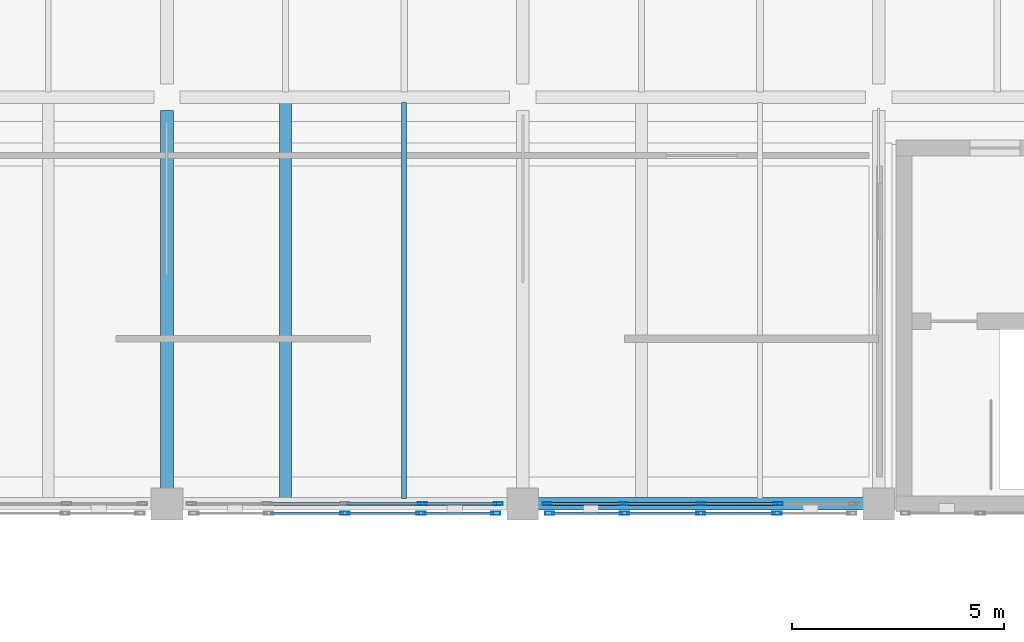
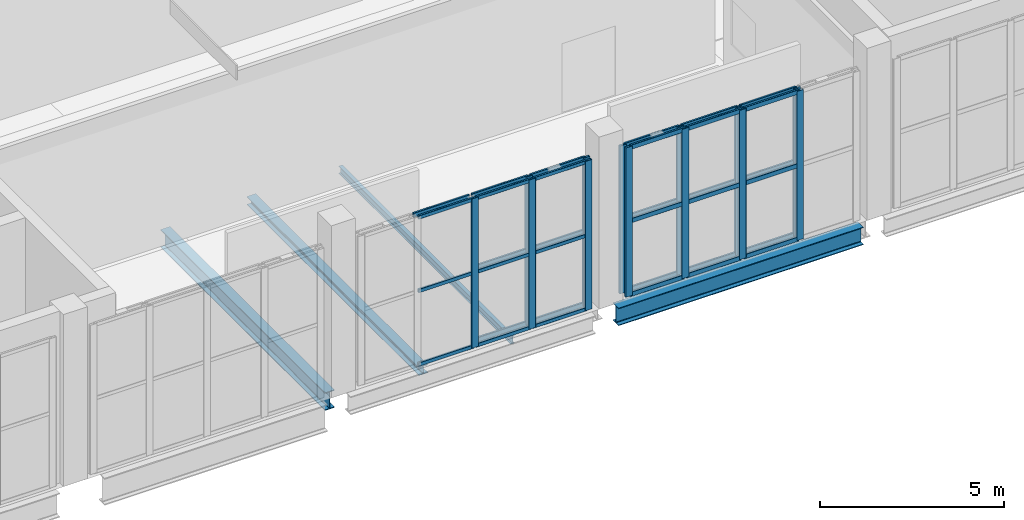
# One storey, part 8 of 49: 47 members, 4 beams, 4 elements without a shape of their own.
"""IFC4 building model written with IfcOpenShell, lengths in metres."""

from ifc_helpers import new_model, si_unit, direction, frame, origin, origin_2d, place, context, subcontext, project, spatial, hollow_rectangle, i_section, extrude, material, layer, layer_set, material_profile, profile_set, type_object, element, aggregate, save


model = new_model("IFC4")

# Units and contexts
model_context = context("Model", 3, precision=1e-05, world=origin(), true_north=direction((0.0, 1.0)))
body_context = subcontext(model_context, "Body", "Model", "MODEL_VIEW")
ifc_project = project(units=[si_unit("LENGTHUNIT", "METRE"), si_unit("AREAUNIT", "SQUARE_METRE"), si_unit("VOLUMEUNIT", "CUBIC_METRE"), si_unit("PLANEANGLEUNIT", "RADIAN"), si_unit("MASSUNIT", "GRAM", prefix="KILO")], contexts=[model_context])

# Site, building, storey
site_placement = place(None, origin())
site = spatial("IfcSite", under=ifc_project, at=site_placement, CompositionType="ELEMENT")
building_placement = place(site_placement, origin())
building = spatial("IfcBuilding", under=site, at=building_placement, Name="Zulmaris Art Gallery", CompositionType="ELEMENT")
storey_placement = place(building_placement, frame((0.0, 0.0, 20.699951171875)))
storey = spatial("IfcBuildingStorey", under=building, at=storey_placement, Name="L04", CompositionType="ELEMENT", Elevation=20.699951171875)

# Beams
ifc_material_1 = material(Name="Steel S355J2", Category="steel")
ifc_material_profile_1 = material_profile(ifc_material_1, i_section(OverallWidth=0.300048828125, OverallDepth=0.590087890625, WebThickness=0.012939453125, FlangeThickness=0.02490234375, FilletRadius=0.027099609375, at=origin_2d()), Name="HEA 600")
ifc_profile_set_1 = profile_set([ifc_material_profile_1], Name="Steel S355J2")
beam_type_1 = type_object("IfcBeamType", Name="BEAM-BM12", PredefinedType="BEAM", material=ifc_profile_set_1)
beam_1_placement = place(storey_placement, frame((57.9599609375, 21.60009765625, -0.655029296875), z_axis=(1.0, 0.0, 0.0), x_axis=(0.0, 1.0, 0.0)))
element("IfcBeam", 1, at=beam_1_placement, inside=storey, type_object=beam_type_1, Name="L04 X-girder (57.6..66.0, y=21.6)", PredefinedType="BEAM", context=body_context, shape_type="SweptSolid", body=[
    extrude(i_section(OverallWidth=0.300048828125, OverallDepth=0.590087890625, WebThickness=0.012939453125, FlangeThickness=0.02490234375, FilletRadius=0.027099609375, at=origin_2d()), origin(), (0.0, 0.0, 1.0), 7.679931640625),
])
beam_2_placement = place(storey_placement, frame((49.199951171875, 21.9599609375, -0.655029296875), z_axis=(0.0, 1.0, 0.0), x_axis=(-1.0, 0.0, 0.0)))
element("IfcBeam", 2, at=beam_2_placement, inside=storey, type_object=beam_type_1, Name="L04 Y-girder (x=49.2, 21.6..31.2)", PredefinedType="BEAM", context=body_context, shape_type="SweptSolid", body=[
    extrude(i_section(OverallWidth=0.300048828125, OverallDepth=0.590087890625, WebThickness=0.012939453125, FlangeThickness=0.02490234375, FilletRadius=0.027099609375, at=origin_2d()), origin(), (0.0, 0.0, 1.0), 8.929931640625),
])
ifc_material_profile_2 = material_profile(ifc_material_1, i_section(OverallWidth=0.1201171875, OverallDepth=0.239990234375, WebThickness=0.006103515625, FlangeThickness=0.009765625, FilletRadius=0.014892578125, at=origin_2d()), Name="IPE 240")
ifc_profile_set_2 = profile_set([ifc_material_profile_2], Name="Steel S355J2")
beam_type_2 = type_object("IfcBeamType", Name="BEAM-JS01", PredefinedType="JOIST", material=ifc_profile_set_2)
beam_3_placement = place(storey_placement, frame((54.800048828125, 21.72509765625, -0.47998046875), z_axis=(0.0, 1.0, 0.0), x_axis=(-1.0, 0.0, 0.0)))
element("IfcBeam", 3, at=beam_3_placement, inside=storey, type_object=beam_type_2, Name="L04 secondary joist at x=54.8", PredefinedType="JOIST", context=body_context, shape_type="SweptSolid", body=[
    extrude(i_section(OverallWidth=0.1201171875, OverallDepth=0.239990234375, WebThickness=0.006103515625, FlangeThickness=0.009765625, FilletRadius=0.014892578125, at=origin_2d()), origin(), (0.0, 0.0, 1.0), 9.349853515625),
])
ifc_material_profile_3 = material_profile(ifc_material_1, i_section(OverallWidth=0.280029296875, OverallDepth=0.27001953125, WebThickness=0.008056640625, FlangeThickness=0.012939453125, FilletRadius=0.02392578125, at=origin_2d()), Name="HEA 280")
ifc_profile_set_3 = profile_set([ifc_material_profile_3], Name="Steel S355J2")
beam_type_3 = type_object("IfcBeamType", Name="BEAM-JS04", PredefinedType="JOIST", material=ifc_profile_set_3)
beam_4_placement = place(storey_placement, frame((52.0, 21.72509765625, -0.494873046875), z_axis=(0.0, 1.0, 0.0), x_axis=(-1.0, 0.0, 0.0)))
element("IfcBeam", 4, at=beam_4_placement, inside=storey, type_object=beam_type_3, Name="L04 secondary joist at x=52.0", PredefinedType="JOIST", context=body_context, shape_type="SweptSolid", body=[
    extrude(i_section(OverallWidth=0.280029296875, OverallDepth=0.27001953125, WebThickness=0.008056640625, FlangeThickness=0.012939453125, FilletRadius=0.02392578125, at=origin_2d()), origin(), (0.0, 0.0, 1.0), 9.349853515625),
])

# Curtain wall, members
ifc_material_2 = material(Name="Unitised Low-E Gallery Curtain Wall", Category="aluminium")
ifc_layer_1 = layer(ifc_material_2, 0.179931640625)
ifc_layer_set_1 = layer_set([ifc_layer_1], Name="Unitised Low-E Gallery Curtain Wall")
curtain_wall_type_1 = type_object("IfcCurtainWallType", Name="CW-CW01", PredefinedType="NOTDEFINED", material=ifc_layer_set_1)
curtain_wall_1_placement = place(storey_placement, origin())
curtain_wall_1 = element("IfcCurtainWall", 5, at=curtain_wall_1_placement, inside=storey, type_object=curtain_wall_type_1, Name="L04 curtain wall 28", PredefinedType="NOTDEFINED")
ifc_material_3 = material(Name="Anodised Bronze Aluminium", Category="aluminium")
ifc_material_profile_4 = material_profile(ifc_material_3, hollow_rectangle(XDim=0.074951171875, YDim=0.219970703125, WallThickness=0.0048828125, InnerFilletRadius=0.007568359375, OuterFilletRadius=0.012451171875, at=origin_2d()), Name="ALU 75x220x5")
ifc_profile_set_4 = profile_set([ifc_material_profile_4], Name="Anodised Bronze Aluminium")
member_type_1 = type_object("IfcMemberType", Name="CWMUL-02", PredefinedType="MULLION", material=ifc_profile_set_4)
member_1_placement = place(storey_placement, frame((55.22998046875, 21.60009765625, 0.0), z_axis=(0.0, 0.0, 1.0), x_axis=(0.0, 1.0, 0.0)))
member_1 = element("IfcMember", 6, at=member_1_placement, type_object=member_type_1, Name="CW01 mullion 4", PredefinedType="MULLION", context=body_context, shape_type="SweptSolid", body=[
    extrude(hollow_rectangle(XDim=0.074951171875, YDim=0.219970703125, WallThickness=0.0048828125, InnerFilletRadius=0.007568359375, OuterFilletRadius=0.012451171875, at=origin_2d()), origin(), (0.0, 0.0, 1.0), 4.900146484375),
])
member_2_placement = place(storey_placement, frame((57.0224609375, 21.60009765625, 0.0), z_axis=(0.0, 0.0, 1.0), x_axis=(0.0, 1.0, 0.0)))
member_2 = element("IfcMember", 7, at=member_2_placement, type_object=member_type_1, Name="CW01 mullion 5", PredefinedType="MULLION", context=body_context, shape_type="SweptSolid", body=[
    extrude(hollow_rectangle(XDim=0.074951171875, YDim=0.219970703125, WallThickness=0.0048828125, InnerFilletRadius=0.007568359375, OuterFilletRadius=0.012451171875, at=origin_2d()), origin(), (0.0, 0.0, 1.0), 4.900146484375),
])

curtain_wall_2_placement = place(storey_placement, origin())
curtain_wall_2 = element("IfcCurtainWall", 8, at=curtain_wall_2_placement, inside=storey, type_object=curtain_wall_type_1, Name="L04 curtain wall 30", PredefinedType="NOTDEFINED")
member_3_placement = place(storey_placement, frame((58.177490234375, 21.60009765625, 0.0), z_axis=(0.0, 0.0, 1.0), x_axis=(0.0, 1.0, 0.0)))
member_3 = element("IfcMember", 9, at=member_3_placement, type_object=member_type_1, Name="CW01 mullion 1", PredefinedType="MULLION", context=body_context, shape_type="SweptSolid", body=[
    extrude(hollow_rectangle(XDim=0.074951171875, YDim=0.219970703125, WallThickness=0.0048828125, InnerFilletRadius=0.007568359375, OuterFilletRadius=0.012451171875, at=origin_2d()), origin(), (0.0, 0.0, 1.0), 4.900146484375),
])
member_4_placement = place(storey_placement, frame((59.969970703125, 21.60009765625, 0.0), z_axis=(0.0, 0.0, 1.0), x_axis=(0.0, 1.0, 0.0)))
member_4 = element("IfcMember", 10, at=member_4_placement, type_object=member_type_1, Name="CW01 mullion 2", PredefinedType="MULLION", context=body_context, shape_type="SweptSolid", body=[
    extrude(hollow_rectangle(XDim=0.074951171875, YDim=0.219970703125, WallThickness=0.0048828125, InnerFilletRadius=0.007568359375, OuterFilletRadius=0.012451171875, at=origin_2d()), origin(), (0.0, 0.0, 1.0), 4.900146484375),
])
member_5_placement = place(storey_placement, frame((61.800048828125, 21.60009765625, 0.0), z_axis=(0.0, 0.0, 1.0), x_axis=(0.0, 1.0, 0.0)))
member_5 = element("IfcMember", 11, at=member_5_placement, type_object=member_type_1, Name="CW01 mullion 3", PredefinedType="MULLION", context=body_context, shape_type="SweptSolid", body=[
    extrude(hollow_rectangle(XDim=0.074951171875, YDim=0.219970703125, WallThickness=0.0048828125, InnerFilletRadius=0.007568359375, OuterFilletRadius=0.012451171875, at=origin_2d()), origin(), (0.0, 0.0, 1.0), 4.900146484375),
])
member_6_placement = place(storey_placement, frame((63.6298828125, 21.60009765625, 0.0), z_axis=(0.0, 0.0, 1.0), x_axis=(0.0, 1.0, 0.0)))
member_6 = element("IfcMember", 12, at=member_6_placement, type_object=member_type_1, Name="CW01 mullion 4", PredefinedType="MULLION", context=body_context, shape_type="SweptSolid", body=[
    extrude(hollow_rectangle(XDim=0.074951171875, YDim=0.219970703125, WallThickness=0.0048828125, InnerFilletRadius=0.007568359375, OuterFilletRadius=0.012451171875, at=origin_2d()), origin(), (0.0, 0.0, 1.0), 4.900146484375),
])

ifc_material_4 = material(Name="Perforated Bronze Art Deco Mashrabiya Screen", Category="aluminium")
ifc_layer_2 = layer(ifc_material_4, 0.179931640625)
ifc_layer_set_2 = layer_set([ifc_layer_2], Name="Perforated Bronze Art Deco Mashrabiya Screen")
curtain_wall_type_2 = type_object("IfcCurtainWallType", Name="CW-CW06", PredefinedType="USERDEFINED", material=ifc_layer_set_2)
curtain_wall_3_placement = place(storey_placement, origin())
curtain_wall_3 = element("IfcCurtainWall", 13, at=curtain_wall_3_placement, inside=storey, type_object=curtain_wall_type_2, Name="L04 Mashrabiya screen 181", ObjectType="MASHRABIYA SCREEN", PredefinedType="USERDEFINED")
member_7_placement = place(storey_placement, frame((53.39990234375, 21.3798828125, 0.0), z_axis=(0.0, 0.0, 1.0), x_axis=(0.0, 1.0, 0.0)))
member_7 = element("IfcMember", 14, at=member_7_placement, type_object=member_type_1, Name="CW06 mullion 3", PredefinedType="MULLION", context=body_context, shape_type="SweptSolid", body=[
    extrude(hollow_rectangle(XDim=0.074951171875, YDim=0.219970703125, WallThickness=0.0048828125, InnerFilletRadius=0.007568359375, OuterFilletRadius=0.012451171875, at=origin_2d()), origin(), (0.0, 0.0, 1.0), 4.949951171875),
])
member_8_placement = place(storey_placement, frame((55.199951171875, 21.3798828125, 0.0), z_axis=(0.0, 0.0, 1.0), x_axis=(0.0, 1.0, 0.0)))
member_8 = element("IfcMember", 15, at=member_8_placement, type_object=member_type_1, Name="CW06 mullion 4", PredefinedType="MULLION", context=body_context, shape_type="SweptSolid", body=[
    extrude(hollow_rectangle(XDim=0.074951171875, YDim=0.219970703125, WallThickness=0.0048828125, InnerFilletRadius=0.007568359375, OuterFilletRadius=0.012451171875, at=origin_2d()), origin(), (0.0, 0.0, 1.0), 4.949951171875),
])
member_9_placement = place(storey_placement, frame((56.96240234375, 21.3798828125, 0.0), z_axis=(0.0, 0.0, 1.0), x_axis=(0.0, 1.0, 0.0)))
member_9 = element("IfcMember", 16, at=member_9_placement, type_object=member_type_1, Name="CW06 mullion 5", PredefinedType="MULLION", context=body_context, shape_type="SweptSolid", body=[
    extrude(hollow_rectangle(XDim=0.074951171875, YDim=0.219970703125, WallThickness=0.0048828125, InnerFilletRadius=0.007568359375, OuterFilletRadius=0.012451171875, at=origin_2d()), origin(), (0.0, 0.0, 1.0), 4.949951171875),
])

curtain_wall_4_placement = place(storey_placement, origin())
curtain_wall_4 = element("IfcCurtainWall", 17, at=curtain_wall_4_placement, inside=storey, type_object=curtain_wall_type_2, Name="L04 Mashrabiya screen 182", ObjectType="MASHRABIYA SCREEN", PredefinedType="USERDEFINED")
member_10_placement = place(storey_placement, frame((58.237548828125, 21.3798828125, 0.0), z_axis=(0.0, 0.0, 1.0), x_axis=(0.0, 1.0, 0.0)))
member_10 = element("IfcMember", 18, at=member_10_placement, type_object=member_type_1, Name="CW06 mullion 1", PredefinedType="MULLION", context=body_context, shape_type="SweptSolid", body=[
    extrude(hollow_rectangle(XDim=0.074951171875, YDim=0.219970703125, WallThickness=0.0048828125, InnerFilletRadius=0.007568359375, OuterFilletRadius=0.012451171875, at=origin_2d()), origin(), (0.0, 0.0, 1.0), 4.949951171875),
])
member_11_placement = place(storey_placement, frame((60.0, 21.3798828125, 0.0), z_axis=(0.0, 0.0, 1.0), x_axis=(0.0, 1.0, 0.0)))
member_11 = element("IfcMember", 19, at=member_11_placement, type_object=member_type_1, Name="CW06 mullion 2", PredefinedType="MULLION", context=body_context, shape_type="SweptSolid", body=[
    extrude(hollow_rectangle(XDim=0.074951171875, YDim=0.219970703125, WallThickness=0.0048828125, InnerFilletRadius=0.007568359375, OuterFilletRadius=0.012451171875, at=origin_2d()), origin(), (0.0, 0.0, 1.0), 4.949951171875),
])
member_12_placement = place(storey_placement, frame((61.800048828125, 21.3798828125, 0.0), z_axis=(0.0, 0.0, 1.0), x_axis=(0.0, 1.0, 0.0)))
member_12 = element("IfcMember", 20, at=member_12_placement, type_object=member_type_1, Name="CW06 mullion 3", PredefinedType="MULLION", context=body_context, shape_type="SweptSolid", body=[
    extrude(hollow_rectangle(XDim=0.074951171875, YDim=0.219970703125, WallThickness=0.0048828125, InnerFilletRadius=0.007568359375, OuterFilletRadius=0.012451171875, at=origin_2d()), origin(), (0.0, 0.0, 1.0), 4.949951171875),
])
member_13_placement = place(storey_placement, frame((63.60009765625, 21.3798828125, 0.0), z_axis=(0.0, 0.0, 1.0), x_axis=(0.0, 1.0, 0.0)))
member_13 = element("IfcMember", 21, at=member_13_placement, type_object=member_type_1, Name="CW06 mullion 4", PredefinedType="MULLION", context=body_context, shape_type="SweptSolid", body=[
    extrude(hollow_rectangle(XDim=0.074951171875, YDim=0.219970703125, WallThickness=0.0048828125, InnerFilletRadius=0.007568359375, OuterFilletRadius=0.012451171875, at=origin_2d()), origin(), (0.0, 0.0, 1.0), 4.949951171875),
])

# Member
ifc_material_profile_5 = material_profile(ifc_material_3, hollow_rectangle(XDim=0.06494140625, YDim=0.14990234375, WallThickness=0.00390625, InnerFilletRadius=0.006103515625, OuterFilletRadius=0.010009765625, at=origin_2d()), Name="ALU 65x150x4")
ifc_profile_set_5 = profile_set([ifc_material_profile_5], Name="Anodised Bronze Aluminium")
member_type_2 = type_object("IfcMemberType", Name="CWTRN-01", PredefinedType="USERDEFINED", material=ifc_profile_set_5)
member_14_placement = place(storey_placement, frame((51.607421875, 21.60009765625, 4.862548828125), z_axis=(1.0, 0.0, 0.0), x_axis=(0.0, 1.0, 0.0)))
member_14 = element("IfcMember", 22, at=member_14_placement, type_object=member_type_2, Name="CW01 transom 2.3", ObjectType="TRANSOM", PredefinedType="USERDEFINED", context=body_context, shape_type="SweptSolid", body=[
    extrude(hollow_rectangle(XDim=0.06494140625, YDim=0.14990234375, WallThickness=0.00390625, InnerFilletRadius=0.006103515625, OuterFilletRadius=0.010009765625, at=origin_2d()), origin(), (0.0, 0.0, 1.0), 1.755126953125),
])

member_15_placement = place(storey_placement, frame((53.4375, 21.60009765625, 0.03759765625), z_axis=(1.0, 0.0, 0.0), x_axis=(0.0, 1.0, 0.0)))
member_15 = element("IfcMember", 23, at=member_15_placement, type_object=member_type_2, Name="CW01 transom 3.1", ObjectType="TRANSOM", PredefinedType="USERDEFINED", context=body_context, shape_type="SweptSolid", body=[
    extrude(hollow_rectangle(XDim=0.06494140625, YDim=0.14990234375, WallThickness=0.00390625, InnerFilletRadius=0.006103515625, OuterFilletRadius=0.010009765625, at=origin_2d()), origin(), (0.0, 0.0, 1.0), 1.7548828125),
])

member_16_placement = place(storey_placement, frame((53.4375, 21.60009765625, 2.449951171875), z_axis=(1.0, 0.0, 0.0), x_axis=(0.0, 1.0, 0.0)))
member_16 = element("IfcMember", 24, at=member_16_placement, type_object=member_type_2, Name="CW01 transom 3.2", ObjectType="TRANSOM", PredefinedType="USERDEFINED", context=body_context, shape_type="SweptSolid", body=[
    extrude(hollow_rectangle(XDim=0.06494140625, YDim=0.14990234375, WallThickness=0.00390625, InnerFilletRadius=0.006103515625, OuterFilletRadius=0.010009765625, at=origin_2d()), origin(), (0.0, 0.0, 1.0), 1.7548828125),
])

member_17_placement = place(storey_placement, frame((53.4375, 21.60009765625, 4.862548828125), z_axis=(1.0, 0.0, 0.0), x_axis=(0.0, 1.0, 0.0)))
member_17 = element("IfcMember", 25, at=member_17_placement, type_object=member_type_2, Name="CW01 transom 3.3", ObjectType="TRANSOM", PredefinedType="USERDEFINED", context=body_context, shape_type="SweptSolid", body=[
    extrude(hollow_rectangle(XDim=0.06494140625, YDim=0.14990234375, WallThickness=0.00390625, InnerFilletRadius=0.006103515625, OuterFilletRadius=0.010009765625, at=origin_2d()), origin(), (0.0, 0.0, 1.0), 1.7548828125),
])

member_18_placement = place(storey_placement, frame((55.267578125, 21.60009765625, 0.03759765625), z_axis=(1.0, 0.0, 0.0), x_axis=(0.0, 1.0, 0.0)))
member_18 = element("IfcMember", 26, at=member_18_placement, type_object=member_type_2, Name="CW01 transom 4.1", ObjectType="TRANSOM", PredefinedType="USERDEFINED", context=body_context, shape_type="SweptSolid", body=[
    extrude(hollow_rectangle(XDim=0.06494140625, YDim=0.14990234375, WallThickness=0.00390625, InnerFilletRadius=0.006103515625, OuterFilletRadius=0.010009765625, at=origin_2d()), origin(), (0.0, 0.0, 1.0), 1.717529296875),
])

member_19_placement = place(storey_placement, frame((55.267578125, 21.60009765625, 2.449951171875), z_axis=(1.0, 0.0, 0.0), x_axis=(0.0, 1.0, 0.0)))
member_19 = element("IfcMember", 27, at=member_19_placement, type_object=member_type_2, Name="CW01 transom 4.2", ObjectType="TRANSOM", PredefinedType="USERDEFINED", context=body_context, shape_type="SweptSolid", body=[
    extrude(hollow_rectangle(XDim=0.06494140625, YDim=0.14990234375, WallThickness=0.00390625, InnerFilletRadius=0.006103515625, OuterFilletRadius=0.010009765625, at=origin_2d()), origin(), (0.0, 0.0, 1.0), 1.717529296875),
])

member_20_placement = place(storey_placement, frame((55.267578125, 21.60009765625, 4.862548828125), z_axis=(1.0, 0.0, 0.0), x_axis=(0.0, 1.0, 0.0)))
member_20 = element("IfcMember", 28, at=member_20_placement, type_object=member_type_2, Name="CW01 transom 4.3", ObjectType="TRANSOM", PredefinedType="USERDEFINED", context=body_context, shape_type="SweptSolid", body=[
    extrude(hollow_rectangle(XDim=0.06494140625, YDim=0.14990234375, WallThickness=0.00390625, InnerFilletRadius=0.006103515625, OuterFilletRadius=0.010009765625, at=origin_2d()), origin(), (0.0, 0.0, 1.0), 1.717529296875),
])

aggregate(curtain_wall_1, [member_1, member_2, member_14, member_15, member_16, member_17, member_18, member_19, member_20])

member_21_placement = place(storey_placement, frame((58.215087890625, 21.60009765625, 0.03759765625), z_axis=(1.0, 0.0, 0.0), x_axis=(0.0, 1.0, 0.0)))
member_21 = element("IfcMember", 29, at=member_21_placement, type_object=member_type_2, Name="CW01 transom 1.1", ObjectType="TRANSOM", PredefinedType="USERDEFINED", context=body_context, shape_type="SweptSolid", body=[
    extrude(hollow_rectangle(XDim=0.06494140625, YDim=0.14990234375, WallThickness=0.00390625, InnerFilletRadius=0.006103515625, OuterFilletRadius=0.010009765625, at=origin_2d()), origin(), (0.0, 0.0, 1.0), 1.717529296875),
])

member_22_placement = place(storey_placement, frame((58.215087890625, 21.60009765625, 2.449951171875), z_axis=(1.0, 0.0, 0.0), x_axis=(0.0, 1.0, 0.0)))
member_22 = element("IfcMember", 30, at=member_22_placement, type_object=member_type_2, Name="CW01 transom 1.2", ObjectType="TRANSOM", PredefinedType="USERDEFINED", context=body_context, shape_type="SweptSolid", body=[
    extrude(hollow_rectangle(XDim=0.06494140625, YDim=0.14990234375, WallThickness=0.00390625, InnerFilletRadius=0.006103515625, OuterFilletRadius=0.010009765625, at=origin_2d()), origin(), (0.0, 0.0, 1.0), 1.717529296875),
])

member_23_placement = place(storey_placement, frame((58.215087890625, 21.60009765625, 4.862548828125), z_axis=(1.0, 0.0, 0.0), x_axis=(0.0, 1.0, 0.0)))
member_23 = element("IfcMember", 31, at=member_23_placement, type_object=member_type_2, Name="CW01 transom 1.3", ObjectType="TRANSOM", PredefinedType="USERDEFINED", context=body_context, shape_type="SweptSolid", body=[
    extrude(hollow_rectangle(XDim=0.06494140625, YDim=0.14990234375, WallThickness=0.00390625, InnerFilletRadius=0.006103515625, OuterFilletRadius=0.010009765625, at=origin_2d()), origin(), (0.0, 0.0, 1.0), 1.717529296875),
])

member_24_placement = place(storey_placement, frame((60.007568359375, 21.60009765625, 0.03759765625), z_axis=(1.0, 0.0, 0.0), x_axis=(0.0, 1.0, 0.0)))
member_24 = element("IfcMember", 32, at=member_24_placement, type_object=member_type_2, Name="CW01 transom 2.1", ObjectType="TRANSOM", PredefinedType="USERDEFINED", context=body_context, shape_type="SweptSolid", body=[
    extrude(hollow_rectangle(XDim=0.06494140625, YDim=0.14990234375, WallThickness=0.00390625, InnerFilletRadius=0.006103515625, OuterFilletRadius=0.010009765625, at=origin_2d()), origin(), (0.0, 0.0, 1.0), 1.7548828125),
])

member_25_placement = place(storey_placement, frame((60.007568359375, 21.60009765625, 2.449951171875), z_axis=(1.0, 0.0, 0.0), x_axis=(0.0, 1.0, 0.0)))
member_25 = element("IfcMember", 33, at=member_25_placement, type_object=member_type_2, Name="CW01 transom 2.2", ObjectType="TRANSOM", PredefinedType="USERDEFINED", context=body_context, shape_type="SweptSolid", body=[
    extrude(hollow_rectangle(XDim=0.06494140625, YDim=0.14990234375, WallThickness=0.00390625, InnerFilletRadius=0.006103515625, OuterFilletRadius=0.010009765625, at=origin_2d()), origin(), (0.0, 0.0, 1.0), 1.7548828125),
])

member_26_placement = place(storey_placement, frame((60.007568359375, 21.60009765625, 4.862548828125), z_axis=(1.0, 0.0, 0.0), x_axis=(0.0, 1.0, 0.0)))
member_26 = element("IfcMember", 34, at=member_26_placement, type_object=member_type_2, Name="CW01 transom 2.3", ObjectType="TRANSOM", PredefinedType="USERDEFINED", context=body_context, shape_type="SweptSolid", body=[
    extrude(hollow_rectangle(XDim=0.06494140625, YDim=0.14990234375, WallThickness=0.00390625, InnerFilletRadius=0.006103515625, OuterFilletRadius=0.010009765625, at=origin_2d()), origin(), (0.0, 0.0, 1.0), 1.7548828125),
])

member_27_placement = place(storey_placement, frame((61.83740234375, 21.60009765625, 0.03759765625), z_axis=(1.0, 0.0, 0.0), x_axis=(0.0, 1.0, 0.0)))
member_27 = element("IfcMember", 35, at=member_27_placement, type_object=member_type_2, Name="CW01 transom 3.1", ObjectType="TRANSOM", PredefinedType="USERDEFINED", context=body_context, shape_type="SweptSolid", body=[
    extrude(hollow_rectangle(XDim=0.06494140625, YDim=0.14990234375, WallThickness=0.00390625, InnerFilletRadius=0.006103515625, OuterFilletRadius=0.010009765625, at=origin_2d()), origin(), (0.0, 0.0, 1.0), 1.755126953125),
])

member_28_placement = place(storey_placement, frame((61.83740234375, 21.60009765625, 2.449951171875), z_axis=(1.0, 0.0, 0.0), x_axis=(0.0, 1.0, 0.0)))
member_28 = element("IfcMember", 36, at=member_28_placement, type_object=member_type_2, Name="CW01 transom 3.2", ObjectType="TRANSOM", PredefinedType="USERDEFINED", context=body_context, shape_type="SweptSolid", body=[
    extrude(hollow_rectangle(XDim=0.06494140625, YDim=0.14990234375, WallThickness=0.00390625, InnerFilletRadius=0.006103515625, OuterFilletRadius=0.010009765625, at=origin_2d()), origin(), (0.0, 0.0, 1.0), 1.755126953125),
])

member_29_placement = place(storey_placement, frame((61.83740234375, 21.60009765625, 4.862548828125), z_axis=(1.0, 0.0, 0.0), x_axis=(0.0, 1.0, 0.0)))
member_29 = element("IfcMember", 37, at=member_29_placement, type_object=member_type_2, Name="CW01 transom 3.3", ObjectType="TRANSOM", PredefinedType="USERDEFINED", context=body_context, shape_type="SweptSolid", body=[
    extrude(hollow_rectangle(XDim=0.06494140625, YDim=0.14990234375, WallThickness=0.00390625, InnerFilletRadius=0.006103515625, OuterFilletRadius=0.010009765625, at=origin_2d()), origin(), (0.0, 0.0, 1.0), 1.755126953125),
])

aggregate(curtain_wall_2, [member_3, member_4, member_5, member_6, member_21, member_22, member_23, member_24, member_25, member_26, member_27, member_28, member_29])

member_30_placement = place(storey_placement, frame((58.27490234375, 21.3798828125, 0.03759765625), z_axis=(1.0, 0.0, 0.0), x_axis=(0.0, 1.0, 0.0)))
member_30 = element("IfcMember", 38, at=member_30_placement, type_object=member_type_2, Name="CW06 transom 1.1", ObjectType="TRANSOM", PredefinedType="USERDEFINED", context=body_context, shape_type="SweptSolid", body=[
    extrude(hollow_rectangle(XDim=0.06494140625, YDim=0.14990234375, WallThickness=0.00390625, InnerFilletRadius=0.006103515625, OuterFilletRadius=0.010009765625, at=origin_2d()), origin(), (0.0, 0.0, 1.0), 1.6875),
])

member_31_placement = place(storey_placement, frame((58.27490234375, 21.3798828125, 2.47509765625), z_axis=(1.0, 0.0, 0.0), x_axis=(0.0, 1.0, 0.0)))
member_31 = element("IfcMember", 39, at=member_31_placement, type_object=member_type_2, Name="CW06 transom 1.2", ObjectType="TRANSOM", PredefinedType="USERDEFINED", context=body_context, shape_type="SweptSolid", body=[
    extrude(hollow_rectangle(XDim=0.06494140625, YDim=0.14990234375, WallThickness=0.00390625, InnerFilletRadius=0.006103515625, OuterFilletRadius=0.010009765625, at=origin_2d()), origin(), (0.0, 0.0, 1.0), 1.6875),
])

member_32_placement = place(storey_placement, frame((58.27490234375, 21.3798828125, 4.91259765625), z_axis=(1.0, 0.0, 0.0), x_axis=(0.0, 1.0, 0.0)))
member_32 = element("IfcMember", 40, at=member_32_placement, type_object=member_type_2, Name="CW06 transom 1.3", ObjectType="TRANSOM", PredefinedType="USERDEFINED", context=body_context, shape_type="SweptSolid", body=[
    extrude(hollow_rectangle(XDim=0.06494140625, YDim=0.14990234375, WallThickness=0.00390625, InnerFilletRadius=0.006103515625, OuterFilletRadius=0.010009765625, at=origin_2d()), origin(), (0.0, 0.0, 1.0), 1.6875),
])

member_33_placement = place(storey_placement, frame((60.03759765625, 21.3798828125, 0.03759765625), z_axis=(1.0, 0.0, 0.0), x_axis=(0.0, 1.0, 0.0)))
member_33 = element("IfcMember", 41, at=member_33_placement, type_object=member_type_2, Name="CW06 transom 2.1", ObjectType="TRANSOM", PredefinedType="USERDEFINED", context=body_context, shape_type="SweptSolid", body=[
    extrude(hollow_rectangle(XDim=0.06494140625, YDim=0.14990234375, WallThickness=0.00390625, InnerFilletRadius=0.006103515625, OuterFilletRadius=0.010009765625, at=origin_2d()), origin(), (0.0, 0.0, 1.0), 1.724853515625),
])

member_34_placement = place(storey_placement, frame((60.03759765625, 21.3798828125, 2.47509765625), z_axis=(1.0, 0.0, 0.0), x_axis=(0.0, 1.0, 0.0)))
member_34 = element("IfcMember", 42, at=member_34_placement, type_object=member_type_2, Name="CW06 transom 2.2", ObjectType="TRANSOM", PredefinedType="USERDEFINED", context=body_context, shape_type="SweptSolid", body=[
    extrude(hollow_rectangle(XDim=0.06494140625, YDim=0.14990234375, WallThickness=0.00390625, InnerFilletRadius=0.006103515625, OuterFilletRadius=0.010009765625, at=origin_2d()), origin(), (0.0, 0.0, 1.0), 1.724853515625),
])

member_35_placement = place(storey_placement, frame((60.03759765625, 21.3798828125, 4.91259765625), z_axis=(1.0, 0.0, 0.0), x_axis=(0.0, 1.0, 0.0)))
member_35 = element("IfcMember", 43, at=member_35_placement, type_object=member_type_2, Name="CW06 transom 2.3", ObjectType="TRANSOM", PredefinedType="USERDEFINED", context=body_context, shape_type="SweptSolid", body=[
    extrude(hollow_rectangle(XDim=0.06494140625, YDim=0.14990234375, WallThickness=0.00390625, InnerFilletRadius=0.006103515625, OuterFilletRadius=0.010009765625, at=origin_2d()), origin(), (0.0, 0.0, 1.0), 1.724853515625),
])

member_36_placement = place(storey_placement, frame((61.83740234375, 21.3798828125, 0.03759765625), z_axis=(1.0, 0.0, 0.0), x_axis=(0.0, 1.0, 0.0)))
member_36 = element("IfcMember", 44, at=member_36_placement, type_object=member_type_2, Name="CW06 transom 3.1", ObjectType="TRANSOM", PredefinedType="USERDEFINED", context=body_context, shape_type="SweptSolid", body=[
    extrude(hollow_rectangle(XDim=0.06494140625, YDim=0.14990234375, WallThickness=0.00390625, InnerFilletRadius=0.006103515625, OuterFilletRadius=0.010009765625, at=origin_2d()), origin(), (0.0, 0.0, 1.0), 1.72509765625),
])

member_37_placement = place(storey_placement, frame((61.83740234375, 21.3798828125, 2.47509765625), z_axis=(1.0, 0.0, 0.0), x_axis=(0.0, 1.0, 0.0)))
member_37 = element("IfcMember", 45, at=member_37_placement, type_object=member_type_2, Name="CW06 transom 3.2", ObjectType="TRANSOM", PredefinedType="USERDEFINED", context=body_context, shape_type="SweptSolid", body=[
    extrude(hollow_rectangle(XDim=0.06494140625, YDim=0.14990234375, WallThickness=0.00390625, InnerFilletRadius=0.006103515625, OuterFilletRadius=0.010009765625, at=origin_2d()), origin(), (0.0, 0.0, 1.0), 1.72509765625),
])

member_38_placement = place(storey_placement, frame((61.83740234375, 21.3798828125, 4.91259765625), z_axis=(1.0, 0.0, 0.0), x_axis=(0.0, 1.0, 0.0)))
member_38 = element("IfcMember", 46, at=member_38_placement, type_object=member_type_2, Name="CW06 transom 3.3", ObjectType="TRANSOM", PredefinedType="USERDEFINED", context=body_context, shape_type="SweptSolid", body=[
    extrude(hollow_rectangle(XDim=0.06494140625, YDim=0.14990234375, WallThickness=0.00390625, InnerFilletRadius=0.006103515625, OuterFilletRadius=0.010009765625, at=origin_2d()), origin(), (0.0, 0.0, 1.0), 1.72509765625),
])

aggregate(curtain_wall_4, [member_10, member_11, member_12, member_13, member_30, member_31, member_32, member_33, member_34, member_35, member_36, member_37, member_38])

ifc_material_profile_6 = material_profile(ifc_material_3, hollow_rectangle(XDim=0.06494140625, YDim=0.1201171875, WallThickness=0.00390625, InnerFilletRadius=0.006103515625, OuterFilletRadius=0.010009765625, at=origin_2d()), Name="ALU 65x120x4")
ifc_profile_set_6 = profile_set([ifc_material_profile_6], Name="Anodised Bronze Aluminium")
member_type_3 = type_object("IfcMemberType", Name="CWTRN-03", PredefinedType="USERDEFINED", material=ifc_profile_set_6)
member_39_placement = place(storey_placement, frame((51.637451171875, 21.3798828125, 0.03759765625), z_axis=(1.0, 0.0, 0.0), x_axis=(0.0, 1.0, 0.0)))
member_39 = element("IfcMember", 47, at=member_39_placement, type_object=member_type_3, Name="CW06 transom 2.1", ObjectType="TRANSOM", PredefinedType="USERDEFINED", context=body_context, shape_type="SweptSolid", body=[
    extrude(hollow_rectangle(XDim=0.06494140625, YDim=0.1201171875, WallThickness=0.00390625, InnerFilletRadius=0.006103515625, OuterFilletRadius=0.010009765625, at=origin_2d()), origin(), (0.0, 0.0, 1.0), 1.72509765625),
])

member_40_placement = place(storey_placement, frame((51.637451171875, 21.3798828125, 2.47509765625), z_axis=(1.0, 0.0, 0.0), x_axis=(0.0, 1.0, 0.0)))
member_40 = element("IfcMember", 48, at=member_40_placement, type_object=member_type_3, Name="CW06 transom 2.2", ObjectType="TRANSOM", PredefinedType="USERDEFINED", context=body_context, shape_type="SweptSolid", body=[
    extrude(hollow_rectangle(XDim=0.06494140625, YDim=0.1201171875, WallThickness=0.00390625, InnerFilletRadius=0.006103515625, OuterFilletRadius=0.010009765625, at=origin_2d()), origin(), (0.0, 0.0, 1.0), 1.72509765625),
])

member_41_placement = place(storey_placement, frame((51.637451171875, 21.3798828125, 4.91259765625), z_axis=(1.0, 0.0, 0.0), x_axis=(0.0, 1.0, 0.0)))
member_41 = element("IfcMember", 49, at=member_41_placement, type_object=member_type_3, Name="CW06 transom 2.3", ObjectType="TRANSOM", PredefinedType="USERDEFINED", context=body_context, shape_type="SweptSolid", body=[
    extrude(hollow_rectangle(XDim=0.06494140625, YDim=0.1201171875, WallThickness=0.00390625, InnerFilletRadius=0.006103515625, OuterFilletRadius=0.010009765625, at=origin_2d()), origin(), (0.0, 0.0, 1.0), 1.72509765625),
])

member_42_placement = place(storey_placement, frame((53.4375, 21.3798828125, 0.03759765625), z_axis=(1.0, 0.0, 0.0), x_axis=(0.0, 1.0, 0.0)))
member_42 = element("IfcMember", 50, at=member_42_placement, type_object=member_type_3, Name="CW06 transom 3.1", ObjectType="TRANSOM", PredefinedType="USERDEFINED", context=body_context, shape_type="SweptSolid", body=[
    extrude(hollow_rectangle(XDim=0.06494140625, YDim=0.1201171875, WallThickness=0.00390625, InnerFilletRadius=0.006103515625, OuterFilletRadius=0.010009765625, at=origin_2d()), origin(), (0.0, 0.0, 1.0), 1.72509765625),
])

member_43_placement = place(storey_placement, frame((53.4375, 21.3798828125, 2.47509765625), z_axis=(1.0, 0.0, 0.0), x_axis=(0.0, 1.0, 0.0)))
member_43 = element("IfcMember", 51, at=member_43_placement, type_object=member_type_3, Name="CW06 transom 3.2", ObjectType="TRANSOM", PredefinedType="USERDEFINED", context=body_context, shape_type="SweptSolid", body=[
    extrude(hollow_rectangle(XDim=0.06494140625, YDim=0.1201171875, WallThickness=0.00390625, InnerFilletRadius=0.006103515625, OuterFilletRadius=0.010009765625, at=origin_2d()), origin(), (0.0, 0.0, 1.0), 1.72509765625),
])

member_44_placement = place(storey_placement, frame((53.4375, 21.3798828125, 4.91259765625), z_axis=(1.0, 0.0, 0.0), x_axis=(0.0, 1.0, 0.0)))
member_44 = element("IfcMember", 52, at=member_44_placement, type_object=member_type_3, Name="CW06 transom 3.3", ObjectType="TRANSOM", PredefinedType="USERDEFINED", context=body_context, shape_type="SweptSolid", body=[
    extrude(hollow_rectangle(XDim=0.06494140625, YDim=0.1201171875, WallThickness=0.00390625, InnerFilletRadius=0.006103515625, OuterFilletRadius=0.010009765625, at=origin_2d()), origin(), (0.0, 0.0, 1.0), 1.72509765625),
])

member_45_placement = place(storey_placement, frame((55.237548828125, 21.3798828125, 0.03759765625), z_axis=(1.0, 0.0, 0.0), x_axis=(0.0, 1.0, 0.0)))
member_45 = element("IfcMember", 53, at=member_45_placement, type_object=member_type_3, Name="CW06 transom 4.1", ObjectType="TRANSOM", PredefinedType="USERDEFINED", context=body_context, shape_type="SweptSolid", body=[
    extrude(hollow_rectangle(XDim=0.06494140625, YDim=0.1201171875, WallThickness=0.00390625, InnerFilletRadius=0.006103515625, OuterFilletRadius=0.010009765625, at=origin_2d()), origin(), (0.0, 0.0, 1.0), 1.6875),
])

member_46_placement = place(storey_placement, frame((55.237548828125, 21.3798828125, 2.47509765625), z_axis=(1.0, 0.0, 0.0), x_axis=(0.0, 1.0, 0.0)))
member_46 = element("IfcMember", 54, at=member_46_placement, type_object=member_type_3, Name="CW06 transom 4.2", ObjectType="TRANSOM", PredefinedType="USERDEFINED", context=body_context, shape_type="SweptSolid", body=[
    extrude(hollow_rectangle(XDim=0.06494140625, YDim=0.1201171875, WallThickness=0.00390625, InnerFilletRadius=0.006103515625, OuterFilletRadius=0.010009765625, at=origin_2d()), origin(), (0.0, 0.0, 1.0), 1.6875),
])

member_47_placement = place(storey_placement, frame((55.237548828125, 21.3798828125, 4.91259765625), z_axis=(1.0, 0.0, 0.0), x_axis=(0.0, 1.0, 0.0)))
member_47 = element("IfcMember", 55, at=member_47_placement, type_object=member_type_3, Name="CW06 transom 4.3", ObjectType="TRANSOM", PredefinedType="USERDEFINED", context=body_context, shape_type="SweptSolid", body=[
    extrude(hollow_rectangle(XDim=0.06494140625, YDim=0.1201171875, WallThickness=0.00390625, InnerFilletRadius=0.006103515625, OuterFilletRadius=0.010009765625, at=origin_2d()), origin(), (0.0, 0.0, 1.0), 1.6875),
])

aggregate(curtain_wall_3, [member_7, member_8, member_9, member_39, member_40, member_41, member_42, member_43, member_44, member_45, member_46, member_47])

save(model, "model.ifc")
